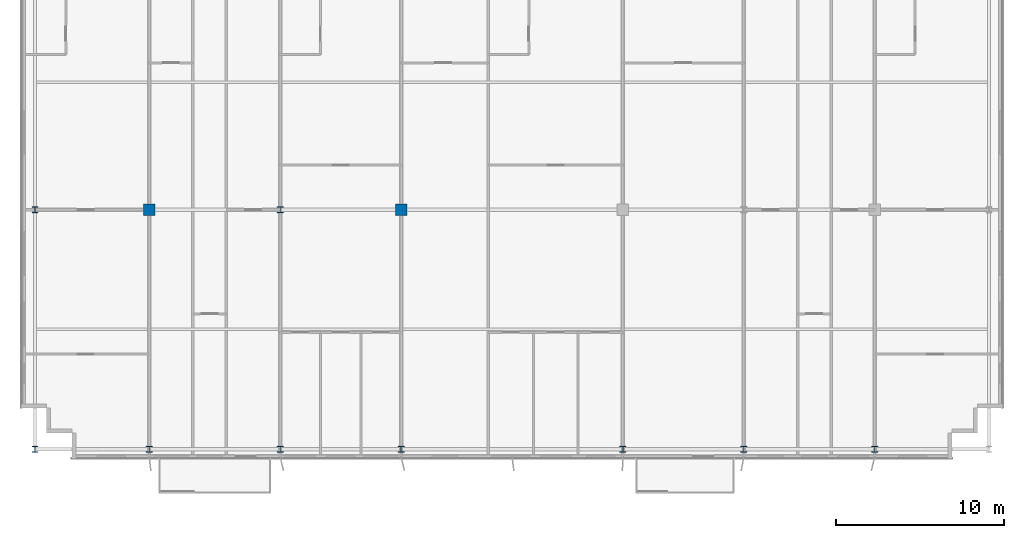
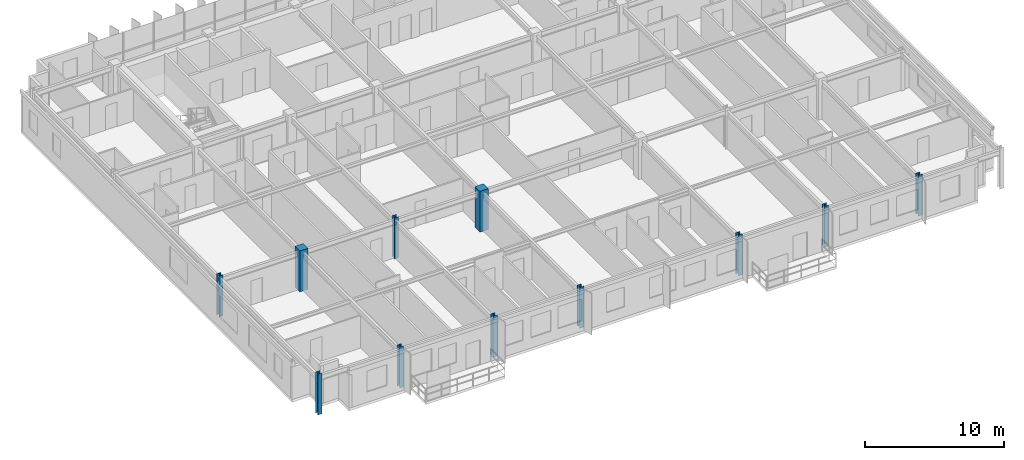
# One storey, part 1 of 23: 11 columns.
"""IFC4 building model written with IfcOpenShell, lengths in metres."""

from ifc_helpers import new_model, si_unit, direction, frame, origin, origin_2d, place, context, subcontext, project, spatial, rectangle, i_section, extrude, source, transform, mapped, material, material_profile, profile_set, type_object, element, save


model = new_model("IFC4")

# Units and contexts
model_context = context("Model", 3, precision=1e-05, world=origin(), true_north=direction((0.0, 1.0)))
body_context = subcontext(model_context, "Body", "Model", "MODEL_VIEW")
ifc_project = project(units=[si_unit("LENGTHUNIT", "METRE"), si_unit("AREAUNIT", "SQUARE_METRE"), si_unit("VOLUMEUNIT", "CUBIC_METRE"), si_unit("PLANEANGLEUNIT", "RADIAN"), si_unit("MASSUNIT", "GRAM", prefix="KILO")], contexts=[model_context])

# Site, building, storey
site_placement = place(None, origin())
site = spatial("IfcSite", under=ifc_project, at=site_placement, CompositionType="ELEMENT")
building_placement = place(site_placement, origin())
building = spatial("IfcBuilding", under=site, at=building_placement, Name="Trelvane Seafront Commons", CompositionType="ELEMENT")
storey_placement = place(building_placement, frame((0.0, 0.0, 208.5)))
storey = spatial("IfcBuildingStorey", under=building, at=storey_placement, Name="L54", CompositionType="ELEMENT", Elevation=208.5)

# Columns
ifc_material_1 = material(Name="Concrete C50/60", Category="concrete")
ifc_material_profile_1 = material_profile(ifc_material_1, rectangle(XDim=0.699951171875, YDim=0.699951171875, at=origin_2d()), Name="RC-700x700")
ifc_profile_set_1 = profile_set([ifc_material_profile_1], Name="Concrete C50/60")
column_type_1 = type_object("IfcColumnType", Name="STR-COL-RC700", PredefinedType="COLUMN", material=ifc_profile_set_1)
shared_shape_1 = source(origin(), body_context, "Body", "SweptSolid", [
    extrude(rectangle(XDim=0.699951171875, YDim=0.699951171875, at=origin_2d()), origin(), (0.0, 0.0, 1.0), 3.60009765625),
])
for number, where, z_axis, x_axis, name in (
    (1, (15.60009765625, 18.199951171875, 0.0), (0.0, 0.0, 1.0), (1.0, 0.0, 0.0), "L54 Column TC-M15.6"),
    (2, (30.60009765625, 18.199951171875, 0.0), (0.0, 0.0, 1.0), (1.0, 0.0, 0.0), "L54 Column TC-M30.6"),
):
    element("IfcColumn", number, at=place(storey_placement, frame(where, z_axis=z_axis, x_axis=x_axis)), inside=storey, type_object=column_type_1, Name=name, PredefinedType="COLUMN", context=body_context, shape_type="MappedRepresentation", body=[
        mapped(shared_shape_1, transform((0.0, 0.0, 0.0), x_axis=(1.0, 0.0, 0.0), y_axis=(0.0, 1.0, 0.0), z_axis=(0.0, 0.0, 1.0), scale=1.0)),
    ])
ifc_material_2 = material(Name="Steel SM355 (S355)", Category="steel")
ifc_material_profile_2 = material_profile(ifc_material_2, i_section(OverallWidth=0.35009765625, OverallDepth=0.35009765625, WebThickness=0.01806640625, FlangeThickness=0.028076171875, at=origin_2d()), Name="HD-350x350x18x28")
ifc_profile_set_2 = profile_set([ifc_material_profile_2], Name="Steel SM355 (S355)")
column_type_2 = type_object("IfcColumnType", Name="STR-COL-HD350", PredefinedType="COLUMN", material=ifc_profile_set_2)
shared_shape_2 = source(origin(), body_context, "Body", "SweptSolid", [
    extrude(i_section(OverallWidth=0.35009765625, OverallDepth=0.35009765625, WebThickness=0.01806640625, FlangeThickness=0.028076171875, at=origin_2d()), origin(), (0.0, 0.0, 1.0), 3.60009765625),
])
for number, where, z_axis, x_axis, name in (
    (3, (8.800048828125, 3.949951171875, 0.0), (0.0, 0.0, 1.0), (1.0, 0.0, 0.0), "L54 Column TC-S8.8"),
    (4, (8.800048828125, 18.199951171875, 0.0), (0.0, 0.0, 1.0), (1.0, 0.0, 0.0), "L54 Column TC-M8.8"),
    (5, (15.60009765625, 3.949951171875, 0.0), (0.0, 0.0, 1.0), (1.0, 0.0, 0.0), "L54 Column TC-S15.6"),
    (6, (23.39990234375, 3.949951171875, 0.0), (0.0, 0.0, 1.0), (1.0, 0.0, 0.0), "L54 Column TC-S23.4"),
    (7, (23.39990234375, 18.199951171875, 0.0), (0.0, 0.0, 1.0), (1.0, 0.0, 0.0), "L54 Column TC-M23.4"),
    (8, (30.60009765625, 3.949951171875, 0.0), (0.0, 0.0, 1.0), (1.0, 0.0, 0.0), "L54 Column TC-S30.6"),
    (9, (43.800048828125, 3.949951171875, 0.0), (0.0, 0.0, 1.0), (1.0, 0.0, 0.0), "L54 Column TC-S43.8"),
    (10, (51.0, 3.949951171875, 0.0), (0.0, 0.0, 1.0), (1.0, 0.0, 0.0), "L54 Column TC-S51.0"),
    (11, (58.800048828125, 3.949951171875, 0.0), (0.0, 0.0, 1.0), (1.0, 0.0, 0.0), "L54 Column TC-S58.8"),
):
    element("IfcColumn", number, at=place(storey_placement, frame(where, z_axis=z_axis, x_axis=x_axis)), inside=storey, type_object=column_type_2, Name=name, PredefinedType="COLUMN", context=body_context, shape_type="MappedRepresentation", body=[
        mapped(shared_shape_2, transform((0.0, 0.0, 0.0), x_axis=(1.0, 0.0, 0.0), y_axis=(0.0, 1.0, 0.0), z_axis=(0.0, 0.0, 1.0), scale=1.0)),
    ])

save(model, "model.ifc")
